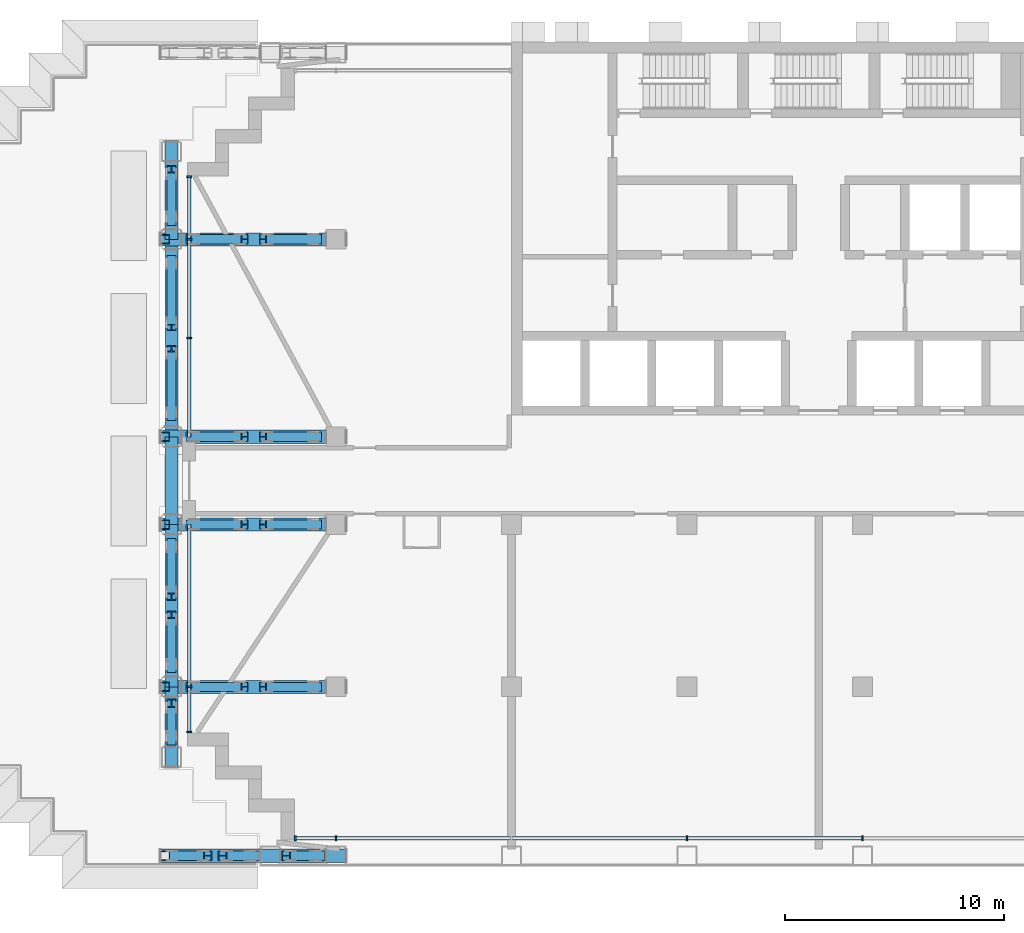
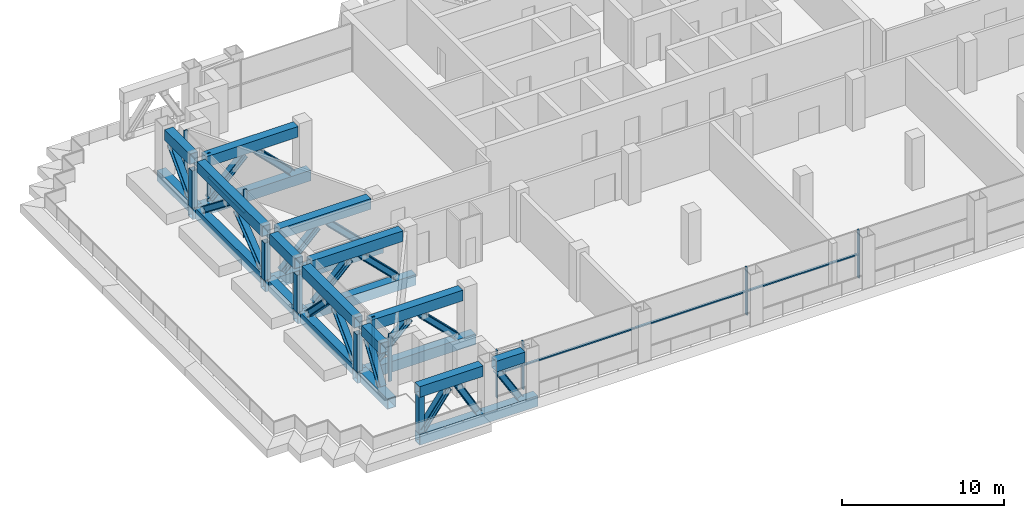
# One storey, part 2 of 19: 61 members, 3 elements without a shape of their own.
"""IFC4 building model written with IfcOpenShell, lengths in metres."""

from ifc_helpers import new_model, si_unit, direction, frame, origin, origin_2d, place, context, subcontext, project, spatial, rectangle, hollow_rectangle, i_section, extrude, material, material_profile, profile_set, type_object, element, aggregate, save


model = new_model("IFC4")

# Units and contexts
model_context = context("Model", 3, precision=1e-05, world=origin(), true_north=direction((0.0, 1.0)))
body_context = subcontext(model_context, "Body", "Model", "MODEL_VIEW")
ifc_project = project(units=[si_unit("LENGTHUNIT", "METRE"), si_unit("AREAUNIT", "SQUARE_METRE"), si_unit("VOLUMEUNIT", "CUBIC_METRE"), si_unit("PLANEANGLEUNIT", "RADIAN"), si_unit("MASSUNIT", "GRAM", prefix="KILO")], contexts=[model_context])

# Site, building, storey
site_placement = place(None, origin())
site = spatial("IfcSite", under=ifc_project, at=site_placement, CompositionType="ELEMENT")
building_placement = place(site_placement, origin())
building = spatial("IfcBuilding", under=site, at=building_placement, Name="Vidyagriha Tower", CompositionType="ELEMENT")
storey_placement = place(building_placement, frame((0.0, 0.0, 73.60009765625)))
storey = spatial("IfcBuildingStorey", under=building, at=storey_placement, Name="L18", CompositionType="ELEMENT", Elevation=73.60009765625)

# Curtain wall, members
ifc_material_1 = material(Name="Aluminium and glass curtain wall", Category="aluminium")
curtain_wall_type = type_object("IfcCurtainWallType", Name="Plant louvre wall", PredefinedType="USERDEFINED", material=ifc_material_1)
curtain_wall_1_placement = place(storey_placement, origin())
curtain_wall_1 = element("IfcCurtainWall", 1, at=curtain_wall_1_placement, inside=storey, type_object=curtain_wall_type, Name="CW7 plant louvre wall", ObjectType="STICK GLAZING", PredefinedType="USERDEFINED")
ifc_material_2 = material(Name="Aluminium black anodised", Category="aluminium")
ifc_material_profile_1 = material_profile(ifc_material_2, rectangle(XDim=0.219970703125, YDim=0.080078125, at=origin_2d()), Name="Mullion 80x220 black aluminium")
ifc_profile_set_1 = profile_set([ifc_material_profile_1], Name="Aluminium black anodised")
member_type_1 = type_object("IfcMemberType", Name="Mullion 80x220 black aluminium", PredefinedType="MULLION", material=ifc_profile_set_1)
member_1_placement = place(storey_placement, frame((-28.699951171875, 13.860107421875, 0.0)))
member_1 = element("IfcMember", 2, at=member_1_placement, type_object=member_type_1, Name="CW7 mullion 1", PredefinedType="MULLION", context=body_context, shape_type="SweptSolid", body=[
    extrude(rectangle(XDim=0.219970703125, YDim=0.080078125, at=origin_2d()), origin(), (0.0, 0.0, 1.0), 3.619873046875),
])
member_2_placement = place(storey_placement, frame((-28.699951171875, 11.0, 0.0)))
member_2 = element("IfcMember", 3, at=member_2_placement, type_object=member_type_1, Name="CW7 mullion 2", PredefinedType="MULLION", context=body_context, shape_type="SweptSolid", body=[
    extrude(rectangle(XDim=0.219970703125, YDim=0.080078125, at=origin_2d()), origin(), (0.0, 0.0, 1.0), 3.619873046875),
])
member_3_placement = place(storey_placement, frame((-28.699951171875, 6.5, 0.0)))
member_3 = element("IfcMember", 4, at=member_3_placement, type_object=member_type_1, Name="CW7 mullion 3", PredefinedType="MULLION", context=body_context, shape_type="SweptSolid", body=[
    extrude(rectangle(XDim=0.219970703125, YDim=0.080078125, at=origin_2d()), origin(), (0.0, 0.0, 1.0), 3.619873046875),
])

curtain_wall_2_placement = place(storey_placement, origin())
curtain_wall_2 = element("IfcCurtainWall", 5, at=curtain_wall_2_placement, inside=storey, type_object=curtain_wall_type, Name="CW7 plant louvre wall", ObjectType="STICK GLAZING", PredefinedType="USERDEFINED")
member_4_placement = place(storey_placement, frame((-28.699951171875, -9.39990234375, 0.0)))
member_4 = element("IfcMember", 6, at=member_4_placement, type_object=member_type_1, Name="CW7 mullion 2", PredefinedType="MULLION", context=body_context, shape_type="SweptSolid", body=[
    extrude(rectangle(XDim=0.219970703125, YDim=0.080078125, at=origin_2d()), origin(), (0.0, 0.0, 1.0), 3.619873046875),
])
member_5_placement = place(storey_placement, frame((-28.699951171875, -11.4599609375, 0.0)))
member_5 = element("IfcMember", 7, at=member_5_placement, type_object=member_type_1, Name="CW7 mullion 3", PredefinedType="MULLION", context=body_context, shape_type="SweptSolid", body=[
    extrude(rectangle(XDim=0.219970703125, YDim=0.080078125, at=origin_2d()), origin(), (0.0, 0.0, 1.0), 3.619873046875),
])

curtain_wall_3_placement = place(storey_placement, origin())
curtain_wall_3 = element("IfcCurtainWall", 8, at=curtain_wall_3_placement, inside=storey, type_object=curtain_wall_type, Name="CW7 plant louvre wall", ObjectType="STICK GLAZING", PredefinedType="USERDEFINED")
member_6_placement = place(storey_placement, frame((-23.860107421875, -16.300048828125, 0.0), z_axis=(0.0, 0.0, 1.0), x_axis=(0.0, 1.0, 0.0)))
member_6 = element("IfcMember", 9, at=member_6_placement, type_object=member_type_1, Name="CW7 mullion 1", PredefinedType="MULLION", context=body_context, shape_type="SweptSolid", body=[
    extrude(rectangle(XDim=0.219970703125, YDim=0.080078125, at=origin_2d()), origin(), (0.0, 0.0, 1.0), 3.619873046875),
])
member_7_placement = place(storey_placement, frame((-22.0, -16.300048828125, 0.0), z_axis=(0.0, 0.0, 1.0), x_axis=(0.0, 1.0, 0.0)))
member_7 = element("IfcMember", 10, at=member_7_placement, type_object=member_type_1, Name="CW7 mullion 2", PredefinedType="MULLION", context=body_context, shape_type="SweptSolid", body=[
    extrude(rectangle(XDim=0.219970703125, YDim=0.080078125, at=origin_2d()), origin(), (0.0, 0.0, 1.0), 3.619873046875),
])
member_8_placement = place(storey_placement, frame((-6.0, -16.300048828125, 0.0), z_axis=(0.0, 0.0, 1.0), x_axis=(0.0, 1.0, 0.0)))
member_8 = element("IfcMember", 11, at=member_8_placement, type_object=member_type_1, Name="CW7 mullion 4", PredefinedType="MULLION", context=body_context, shape_type="SweptSolid", body=[
    extrude(rectangle(XDim=0.219970703125, YDim=0.080078125, at=origin_2d()), origin(), (0.0, 0.0, 1.0), 3.619873046875),
])
member_9_placement = place(storey_placement, frame((2.0, -16.300048828125, 0.0), z_axis=(0.0, 0.0, 1.0), x_axis=(0.0, 1.0, 0.0)))
member_9 = element("IfcMember", 12, at=member_9_placement, type_object=member_type_1, Name="CW7 mullion 5", PredefinedType="MULLION", context=body_context, shape_type="SweptSolid", body=[
    extrude(rectangle(XDim=0.219970703125, YDim=0.080078125, at=origin_2d()), origin(), (0.0, 0.0, 1.0), 3.619873046875),
])

# Members
ifc_material_3 = material(Name="Steel ASTM A572 Grade 50", Category="steel")
ifc_material_profile_2 = material_profile(ifc_material_3, hollow_rectangle(XDim=0.60009765625, YDim=0.800048828125, WallThickness=0.034912109375, at=origin_2d()), Name="BOX 800x600x35")
ifc_profile_set_2 = profile_set([ifc_material_profile_2], Name="Steel ASTM A572 Grade 50")
member_type_2 = type_object("IfcMemberType", Name="Transfer truss chord BOX 800x600x35", PredefinedType="CHORD", material=ifc_profile_set_2)
member_10_placement = place(storey_placement, frame((-30.0, -17.10009765625, -0.400146484375), z_axis=(1.0, 0.0, 0.0), x_axis=(0.0, 1.0, 0.0)))
element("IfcMember", 13, at=member_10_placement, inside=storey, type_object=member_type_2, Name="st-truss-L18-T00-B00", PredefinedType="CHORD", context=body_context, shape_type="SweptSolid", body=[
    extrude(hollow_rectangle(XDim=0.60009765625, YDim=0.800048828125, WallThickness=0.034912109375, at=origin_2d()), origin(), (0.0, 0.0, 1.0), 8.449951171875),
])
member_11_placement = place(storey_placement, frame((-30.0, -17.10009765625, 3.219970703125), z_axis=(1.0, 0.0, 0.0), x_axis=(0.0, 1.0, 0.0)))
element("IfcMember", 14, at=member_11_placement, inside=storey, type_object=member_type_2, Name="st-truss-L18-T00-T00", PredefinedType="CHORD", context=body_context, shape_type="SweptSolid", body=[
    extrude(hollow_rectangle(XDim=0.60009765625, YDim=0.800048828125, WallThickness=0.034912109375, at=origin_2d()), origin(), (0.0, 0.0, 1.0), 4.530517578125),
])
member_12_placement = place(storey_placement, frame((-24.530517578125, -17.10009765625, 3.219970703125), z_axis=(1.0, 0.0, 0.0), x_axis=(0.0, 1.0, 0.0)))
element("IfcMember", 15, at=member_12_placement, inside=storey, type_object=member_type_2, Name="st-truss-L18-T00-T01", PredefinedType="CHORD", context=body_context, shape_type="SweptSolid", body=[
    extrude(hollow_rectangle(XDim=0.60009765625, YDim=0.800048828125, WallThickness=0.034912109375, at=origin_2d()), origin(), (0.0, 0.0, 1.0), 2.06103515625),
])
member_13_placement = place(storey_placement, frame((-30.0, -9.39990234375, -0.400146484375), z_axis=(1.0, 0.0, 0.0), x_axis=(0.0, 1.0, 0.0)))
element("IfcMember", 16, at=member_13_placement, inside=storey, type_object=member_type_2, Name="st-truss-L18-T02-B00", PredefinedType="CHORD", context=body_context, shape_type="SweptSolid", body=[
    extrude(hollow_rectangle(XDim=0.60009765625, YDim=0.800048828125, WallThickness=0.034912109375, at=origin_2d()), origin(), (0.0, 0.0, 1.0), 8.449951171875),
])
member_14_placement = place(storey_placement, frame((-29.030517578125, -9.39990234375, 3.219970703125), z_axis=(1.0, 0.0, 0.0), x_axis=(0.0, 1.0, 0.0)))
element("IfcMember", 17, at=member_14_placement, inside=storey, type_object=member_type_2, Name="st-truss-L18-T02-T01", PredefinedType="CHORD", context=body_context, shape_type="SweptSolid", body=[
    extrude(hollow_rectangle(XDim=0.60009765625, YDim=0.800048828125, WallThickness=0.034912109375, at=origin_2d()), origin(), (0.0, 0.0, 1.0), 6.56103515625),
])
member_15_placement = place(storey_placement, frame((-30.0, -2.0, -0.400146484375), z_axis=(1.0, 0.0, 0.0), x_axis=(0.0, 1.0, 0.0)))
element("IfcMember", 18, at=member_15_placement, inside=storey, type_object=member_type_2, Name="st-truss-L18-T03-B00", PredefinedType="CHORD", context=body_context, shape_type="SweptSolid", body=[
    extrude(hollow_rectangle(XDim=0.60009765625, YDim=0.800048828125, WallThickness=0.034912109375, at=origin_2d()), origin(), (0.0, 0.0, 1.0), 8.449951171875),
])
member_16_placement = place(storey_placement, frame((-29.030517578125, -2.0, 3.219970703125), z_axis=(1.0, 0.0, 0.0), x_axis=(0.0, 1.0, 0.0)))
element("IfcMember", 19, at=member_16_placement, inside=storey, type_object=member_type_2, Name="st-truss-L18-T03-T01", PredefinedType="CHORD", context=body_context, shape_type="SweptSolid", body=[
    extrude(hollow_rectangle(XDim=0.60009765625, YDim=0.800048828125, WallThickness=0.034912109375, at=origin_2d()), origin(), (0.0, 0.0, 1.0), 6.56103515625),
])
member_17_placement = place(storey_placement, frame((-30.0, 2.0, -0.400146484375), z_axis=(1.0, 0.0, 0.0), x_axis=(0.0, 1.0, 0.0)))
element("IfcMember", 20, at=member_17_placement, inside=storey, type_object=member_type_2, Name="st-truss-L18-T04-B00", PredefinedType="CHORD", context=body_context, shape_type="SweptSolid", body=[
    extrude(hollow_rectangle(XDim=0.60009765625, YDim=0.800048828125, WallThickness=0.034912109375, at=origin_2d()), origin(), (0.0, 0.0, 1.0), 8.449951171875),
])
member_18_placement = place(storey_placement, frame((-29.030517578125, 2.0, 3.219970703125), z_axis=(1.0, 0.0, 0.0), x_axis=(0.0, 1.0, 0.0)))
element("IfcMember", 21, at=member_18_placement, inside=storey, type_object=member_type_2, Name="st-truss-L18-T04-T01", PredefinedType="CHORD", context=body_context, shape_type="SweptSolid", body=[
    extrude(hollow_rectangle(XDim=0.60009765625, YDim=0.800048828125, WallThickness=0.034912109375, at=origin_2d()), origin(), (0.0, 0.0, 1.0), 6.56103515625),
])
member_19_placement = place(storey_placement, frame((-30.0, 11.0, -0.400146484375), z_axis=(1.0, 0.0, 0.0), x_axis=(0.0, 1.0, 0.0)))
element("IfcMember", 22, at=member_19_placement, inside=storey, type_object=member_type_2, Name="st-truss-L18-T05-B00", PredefinedType="CHORD", context=body_context, shape_type="SweptSolid", body=[
    extrude(hollow_rectangle(XDim=0.60009765625, YDim=0.800048828125, WallThickness=0.034912109375, at=origin_2d()), origin(), (0.0, 0.0, 1.0), 8.449951171875),
])
member_20_placement = place(storey_placement, frame((-29.030517578125, 11.0, 3.219970703125), z_axis=(1.0, 0.0, 0.0), x_axis=(0.0, 1.0, 0.0)))
element("IfcMember", 23, at=member_20_placement, inside=storey, type_object=member_type_2, Name="st-truss-L18-T05-T01", PredefinedType="CHORD", context=body_context, shape_type="SweptSolid", body=[
    extrude(hollow_rectangle(XDim=0.60009765625, YDim=0.800048828125, WallThickness=0.034912109375, at=origin_2d()), origin(), (0.0, 0.0, 1.0), 6.56103515625),
])
member_21_placement = place(storey_placement, frame((-29.5, -13.050048828125, -0.400146484375), z_axis=(0.0, 1.0, 0.0), x_axis=(-1.0, 0.0, 0.0)))
element("IfcMember", 24, at=member_21_placement, inside=storey, type_object=member_type_2, Name="st-truss-L18-T08-B00", PredefinedType="CHORD", context=body_context, shape_type="SweptSolid", body=[
    extrude(hollow_rectangle(XDim=0.60009765625, YDim=0.800048828125, WallThickness=0.034912109375, at=origin_2d()), origin(), (0.0, 0.0, 1.0), 3.650146484375),
])
member_22_placement = place(storey_placement, frame((-29.5, -12.130615234375, 3.219970703125), z_axis=(0.0, 1.0, 0.0), x_axis=(-1.0, 0.0, 0.0)))
element("IfcMember", 25, at=member_22_placement, inside=storey, type_object=member_type_2, Name="st-truss-L18-T08-T00", PredefinedType="CHORD", context=body_context, shape_type="SweptSolid", body=[
    extrude(hollow_rectangle(XDim=0.60009765625, YDim=0.800048828125, WallThickness=0.034912109375, at=origin_2d()), origin(), (0.0, 0.0, 1.0), 2.26123046875),
])
member_23_placement = place(storey_placement, frame((-29.5, -9.39990234375, -0.400146484375), z_axis=(0.0, 1.0, 0.0), x_axis=(-1.0, 0.0, 0.0)))
element("IfcMember", 26, at=member_23_placement, inside=storey, type_object=member_type_2, Name="st-truss-L18-T08-B01", PredefinedType="CHORD", context=body_context, shape_type="SweptSolid", body=[
    extrude(hollow_rectangle(XDim=0.60009765625, YDim=0.800048828125, WallThickness=0.034912109375, at=origin_2d()), origin(), (0.0, 0.0, 1.0), 7.39990234375),
])
member_24_placement = place(storey_placement, frame((-29.5, -8.930419921875, 3.219970703125), z_axis=(0.0, 1.0, 0.0), x_axis=(-1.0, 0.0, 0.0)))
element("IfcMember", 27, at=member_24_placement, inside=storey, type_object=member_type_2, Name="st-truss-L18-T08-T01", PredefinedType="CHORD", context=body_context, shape_type="SweptSolid", body=[
    extrude(hollow_rectangle(XDim=0.60009765625, YDim=0.800048828125, WallThickness=0.034912109375, at=origin_2d()), origin(), (0.0, 0.0, 1.0), 6.4609375),
])
member_25_placement = place(storey_placement, frame((-29.5, -2.0, -0.400146484375), z_axis=(0.0, 1.0, 0.0), x_axis=(-1.0, 0.0, 0.0)))
element("IfcMember", 28, at=member_25_placement, inside=storey, type_object=member_type_2, Name="st-truss-L18-T08-B02", PredefinedType="CHORD", context=body_context, shape_type="SweptSolid", body=[
    extrude(hollow_rectangle(XDim=0.60009765625, YDim=0.800048828125, WallThickness=0.034912109375, at=origin_2d()), origin(), (0.0, 0.0, 1.0), 4.0),
])
member_26_placement = place(storey_placement, frame((-29.5, -1.530517578125, 3.219970703125), z_axis=(0.0, 1.0, 0.0), x_axis=(-1.0, 0.0, 0.0)))
element("IfcMember", 29, at=member_26_placement, inside=storey, type_object=member_type_2, Name="st-truss-L18-T08-T02", PredefinedType="CHORD", context=body_context, shape_type="SweptSolid", body=[
    extrude(hollow_rectangle(XDim=0.60009765625, YDim=0.800048828125, WallThickness=0.034912109375, at=origin_2d()), origin(), (0.0, 0.0, 1.0), 3.06103515625),
])
member_27_placement = place(storey_placement, frame((-29.5, 2.0, -0.400146484375), z_axis=(0.0, 1.0, 0.0), x_axis=(-1.0, 0.0, 0.0)))
element("IfcMember", 30, at=member_27_placement, inside=storey, type_object=member_type_2, Name="st-truss-L18-T08-B03", PredefinedType="CHORD", context=body_context, shape_type="SweptSolid", body=[
    extrude(hollow_rectangle(XDim=0.60009765625, YDim=0.800048828125, WallThickness=0.034912109375, at=origin_2d()), origin(), (0.0, 0.0, 1.0), 9.0),
])
member_28_placement = place(storey_placement, frame((-29.5, 2.469482421875, 3.219970703125), z_axis=(0.0, 1.0, 0.0), x_axis=(-1.0, 0.0, 0.0)))
element("IfcMember", 31, at=member_28_placement, inside=storey, type_object=member_type_2, Name="st-truss-L18-T08-T03", PredefinedType="CHORD", context=body_context, shape_type="SweptSolid", body=[
    extrude(hollow_rectangle(XDim=0.60009765625, YDim=0.800048828125, WallThickness=0.034912109375, at=origin_2d()), origin(), (0.0, 0.0, 1.0), 8.06103515625),
])
member_29_placement = place(storey_placement, frame((-29.5, 11.0, -0.400146484375), z_axis=(0.0, 1.0, 0.0), x_axis=(-1.0, 0.0, 0.0)))
element("IfcMember", 32, at=member_29_placement, inside=storey, type_object=member_type_2, Name="st-truss-L18-T08-B04", PredefinedType="CHORD", context=body_context, shape_type="SweptSolid", body=[
    extrude(hollow_rectangle(XDim=0.60009765625, YDim=0.800048828125, WallThickness=0.034912109375, at=origin_2d()), origin(), (0.0, 0.0, 1.0), 4.449951171875),
])
member_30_placement = place(storey_placement, frame((-29.5, 11.469482421875, 3.219970703125), z_axis=(0.0, 1.0, 0.0), x_axis=(-1.0, 0.0, 0.0)))
element("IfcMember", 33, at=member_30_placement, inside=storey, type_object=member_type_2, Name="st-truss-L18-T08-T04", PredefinedType="CHORD", context=body_context, shape_type="SweptSolid", body=[
    extrude(hollow_rectangle(XDim=0.60009765625, YDim=0.800048828125, WallThickness=0.034912109375, at=origin_2d()), origin(), (0.0, 0.0, 1.0), 3.06103515625),
])
ifc_material_4 = material(Name="Steel ASTM A913 Grade 65", Category="steel")
ifc_material_profile_3 = material_profile(ifc_material_4, i_section(OverallWidth=0.421630859375, OverallDepth=0.46484375, WebThickness=0.030029296875, FlangeThickness=0.052978515625, at=origin_2d()), Name="W14X398")
ifc_profile_set_3 = profile_set([ifc_material_profile_3], Name="Steel ASTM A913 Grade 65")
member_type_3 = type_object("IfcMemberType", Name="Transfer truss diagonal W14X398", PredefinedType="BRACE", material=ifc_profile_set_3)
member_31_placement = place(storey_placement, frame((-29.70068359375, -17.10009765625, 0.136474609375), z_axis=(0.587973433261, 0.0, 0.808880239454), x_axis=(0.0, 1.0, 0.0)))
element("IfcMember", 34, at=member_31_placement, inside=storey, type_object=member_type_3, Name="st-truss-L18-T00-D000", PredefinedType="BRACE", context=body_context, shape_type="SweptSolid", body=[
    extrude(i_section(OverallWidth=0.421630859375, OverallDepth=0.46484375, WebThickness=0.030029296875, FlangeThickness=0.052978515625, at=origin_2d()), origin(), (0.0, 0.0, 1.0), 3.148681640625),
])
member_32_placement = place(storey_placement, frame((-27.184814453125, -17.10009765625, 2.705322265625), z_axis=(0.493417853227, 0.0, -0.869792401735), x_axis=(0.0, 1.0, 0.0)))
element("IfcMember", 35, at=member_32_placement, inside=storey, type_object=member_type_3, Name="st-truss-L18-T00-D001", PredefinedType="BRACE", context=body_context, shape_type="SweptSolid", body=[
    extrude(i_section(OverallWidth=0.421630859375, OverallDepth=0.46484375, WebThickness=0.030029296875, FlangeThickness=0.052978515625, at=origin_2d()), origin(), (0.0, 0.0, 1.0), 2.978759765625),
])
member_33_placement = place(storey_placement, frame((-24.277587890625, -17.10009765625, 2.699951171875), z_axis=(0.516234706047, 0.0, -0.856447154396), x_axis=(0.0, 1.0, 0.0)))
element("IfcMember", 36, at=member_33_placement, inside=storey, type_object=member_type_3, Name="st-truss-L18-T00-D010", PredefinedType="BRACE", context=body_context, shape_type="SweptSolid", body=[
    extrude(i_section(OverallWidth=0.421630859375, OverallDepth=0.46484375, WebThickness=0.030029296875, FlangeThickness=0.052978515625, at=origin_2d()), origin(), (0.0, 0.0, 1.0), 3.012451171875),
])
for number, where, z_axis, x_axis, name in (
    (37, (-28.68310546875, -9.39990234375, 0.1650390625), (0.710821439458, 0.0, 0.703372505297), (0.0, 1.0, 0.0), "st-truss-L18-T02-D010"),
    (38, (-25.3330078125, -9.39990234375, 2.65478515625), (0.710821439458, 0.0, -0.703372505297), (0.0, 1.0, 0.0), "st-truss-L18-T02-D011"),
    (39, (-28.68310546875, -2.0, 0.1650390625), (0.710821439458, 0.0, 0.703372505297), (0.0, 1.0, 0.0), "st-truss-L18-T03-D010"),
    (40, (-25.3330078125, -2.0, 2.65478515625), (0.710821439458, 0.0, -0.703372505297), (0.0, 1.0, 0.0), "st-truss-L18-T03-D011"),
    (41, (-28.68310546875, 2.0, 0.1650390625), (0.710821439458, 0.0, 0.703372505297), (0.0, 1.0, 0.0), "st-truss-L18-T04-D010"),
    (42, (-25.3330078125, 2.0, 2.65478515625), (0.710821439458, 0.0, -0.703372505297), (0.0, 1.0, 0.0), "st-truss-L18-T04-D011"),
    (43, (-28.68310546875, 11.0, 0.1650390625), (0.710821439458, 0.0, 0.703372505297), (0.0, 1.0, 0.0), "st-truss-L18-T05-D010"),
    (44, (-25.3330078125, 11.0, 2.65478515625), (0.710821439458, 0.0, -0.703372505297), (0.0, 1.0, 0.0), "st-truss-L18-T05-D011"),
):
    element("IfcMember", number, at=place(storey_placement, frame(where, z_axis=z_axis, x_axis=x_axis)), inside=storey, type_object=member_type_3, Name=name, PredefinedType="BRACE", context=body_context, shape_type="SweptSolid", body=[
        extrude(i_section(OverallWidth=0.421630859375, OverallDepth=0.46484375, WebThickness=0.030029296875, FlangeThickness=0.052978515625, at=origin_2d()), origin(), (0.0, 0.0, 1.0), 3.539794921875),
    ])
member_34_placement = place(storey_placement, frame((-29.5, -11.862548828125, 0.1298828125), z_axis=(0.0, 0.558817992611, 0.829290329821), x_axis=(-1.0, 0.0, 0.0)))
element("IfcMember", 45, at=member_34_placement, inside=storey, type_object=member_type_3, Name="st-truss-L18-T08-D000", PredefinedType="BRACE", context=body_context, shape_type="SweptSolid", body=[
    extrude(i_section(OverallWidth=0.421630859375, OverallDepth=0.46484375, WebThickness=0.030029296875, FlangeThickness=0.052978515625, at=origin_2d()), origin(), (0.0, 0.0, 1.0), 3.087158203125),
])
for number, where, z_axis, x_axis, name in (
    (46, (-29.5, -8.58740234375, 0.16357421875), (0.0, 0.704565322512, 0.709639138093), (-1.0, 0.0, 0.0), "st-truss-L18-T08-D010"),
    (47, (-29.5, -5.287353515625, 2.65625), (0.0, 0.704565322512, -0.709639138093), (-1.0, 0.0, 0.0), "st-truss-L18-T08-D011"),
):
    element("IfcMember", number, at=place(storey_placement, frame(where, z_axis=z_axis, x_axis=x_axis)), inside=storey, type_object=member_type_3, Name=name, PredefinedType="BRACE", context=body_context, shape_type="SweptSolid", body=[
        extrude(i_section(OverallWidth=0.421630859375, OverallDepth=0.46484375, WebThickness=0.030029296875, FlangeThickness=0.052978515625, at=origin_2d()), origin(), (0.0, 0.0, 1.0), 3.5126953125),
    ])
for number, where, z_axis, x_axis, name in (
    (48, (-29.5, 2.883544921875, 0.182861328125), (0.0, 0.787220111676, 0.616672113666), (-1.0, 0.0, 0.0), "st-truss-L18-T08-D030"),
    (49, (-29.5, 6.983642578125, 2.636962890625), (0.0, 0.787220111676, -0.616672113666), (-1.0, 0.0, 0.0), "st-truss-L18-T08-D031"),
):
    element("IfcMember", number, at=place(storey_placement, frame(where, z_axis=z_axis, x_axis=x_axis)), inside=storey, type_object=member_type_3, Name=name, PredefinedType="BRACE", context=body_context, shape_type="SweptSolid", body=[
        extrude(i_section(OverallWidth=0.421630859375, OverallDepth=0.46484375, WebThickness=0.030029296875, FlangeThickness=0.052978515625, at=origin_2d()), origin(), (0.0, 0.0, 1.0), 3.9794921875),
    ])
member_35_placement = place(storey_placement, frame((-29.5, 11.803955078125, 0.16064453125), z_axis=(0.0, 0.691552695072, 0.722326013611), x_axis=(-1.0, 0.0, 0.0)))
element("IfcMember", 50, at=member_35_placement, inside=storey, type_object=member_type_3, Name="st-truss-L18-T08-D040", PredefinedType="BRACE", context=body_context, shape_type="SweptSolid", body=[
    extrude(i_section(OverallWidth=0.421630859375, OverallDepth=0.46484375, WebThickness=0.030029296875, FlangeThickness=0.052978515625, at=origin_2d()), origin(), (0.0, 0.0, 1.0), 3.458984375),
])
ifc_material_5 = material(Name="Steel ASTM A500 Grade C", Category="steel")
ifc_material_profile_4 = material_profile(ifc_material_5, hollow_rectangle(XDim=0.406494140625, YDim=0.406494140625, WallThickness=0.017822265625, at=origin_2d()), Name="HSS16X16X3/4")
ifc_profile_set_4 = profile_set([ifc_material_profile_4], Name="Steel ASTM A500 Grade C")
member_type_4 = type_object("IfcMemberType", Name="Transfer truss post HSS16X16X3/4", PredefinedType="POST", material=ifc_profile_set_4)
member_36_placement = place(storey_placement, frame((-29.796875, -17.10009765625, 0.019287109375)))
element("IfcMember", 51, at=member_36_placement, inside=storey, type_object=member_type_4, Name="st-truss-L18-T00-P00", PredefinedType="POST", context=body_context, shape_type="SweptSolid", body=[
    extrude(hollow_rectangle(XDim=0.406494140625, YDim=0.406494140625, WallThickness=0.017822265625, at=origin_2d()), origin(), (0.0, 0.0, 1.0), 2.781005859375),
])
for number, where, name in (
    (52, (-29.796875, -9.39990234375, 0.0), "st-truss-L18-T02-P00"),
    (53, (-29.796875, -2.0, 0.0), "st-truss-L18-T03-P00"),
    (54, (-29.796875, 2.0, 0.0), "st-truss-L18-T04-P00"),
    (55, (-29.796875, 11.0, 0.0), "st-truss-L18-T05-P00"),
):
    element("IfcMember", number, at=place(storey_placement, frame(where)), inside=storey, type_object=member_type_4, Name=name, PredefinedType="POST", context=body_context, shape_type="SweptSolid", body=[
        extrude(hollow_rectangle(XDim=0.406494140625, YDim=0.406494140625, WallThickness=0.017822265625, at=origin_2d()), origin(), (0.0, 0.0, 1.0), 2.81982421875),
    ])

# Member
ifc_material_6 = material(Name="Aluminium black anodised", Category="aluminium")
ifc_material_profile_5 = material_profile(ifc_material_6, rectangle(XDim=0.159912109375, YDim=0.10009765625, at=origin_2d()), Name="Transom 100x160 black aluminium")
ifc_profile_set_5 = profile_set([ifc_material_profile_5], Name="Aluminium black anodised")
member_type_5 = type_object("IfcMemberType", Name="Transom 100x160 black aluminium", PredefinedType="USERDEFINED", material=ifc_profile_set_5)
member_37_placement = place(storey_placement, frame((-28.699951171875, 13.820068359375, 1.809814453125), z_axis=(0.0, -1.0, 0.0), x_axis=(1.0, 0.0, 0.0)))
member_37 = element("IfcMember", 56, at=member_37_placement, type_object=member_type_5, Name="CW7 transom 1.1", ObjectType="TRANSOM", PredefinedType="USERDEFINED", context=body_context, shape_type="SweptSolid", body=[
    extrude(rectangle(XDim=0.159912109375, YDim=0.10009765625, at=origin_2d()), origin(), (0.0, 0.0, 1.0), 2.780029296875),
])

member_38_placement = place(storey_placement, frame((-28.699951171875, 10.9599609375, 1.809814453125), z_axis=(0.0, -1.0, 0.0), x_axis=(1.0, 0.0, 0.0)))
member_38 = element("IfcMember", 57, at=member_38_placement, type_object=member_type_5, Name="CW7 transom 2.1", ObjectType="TRANSOM", PredefinedType="USERDEFINED", context=body_context, shape_type="SweptSolid", body=[
    extrude(rectangle(XDim=0.159912109375, YDim=0.10009765625, at=origin_2d()), origin(), (0.0, 0.0, 1.0), 4.419921875),
])

member_39_placement = place(storey_placement, frame((-28.699951171875, 6.4599609375, 1.809814453125), z_axis=(0.0, -1.0, 0.0), x_axis=(1.0, 0.0, 0.0)))
member_39 = element("IfcMember", 58, at=member_39_placement, type_object=member_type_5, Name="CW7 transom 3.1", ObjectType="TRANSOM", PredefinedType="USERDEFINED", context=body_context, shape_type="SweptSolid", body=[
    extrude(rectangle(XDim=0.159912109375, YDim=0.10009765625, at=origin_2d()), origin(), (0.0, 0.0, 1.0), 4.4599609375),
])

aggregate(curtain_wall_1, [member_1, member_2, member_3, member_37, member_38, member_39])

member_40_placement = place(storey_placement, frame((-28.699951171875, -2.0, 1.809814453125), z_axis=(0.0, -1.0, 0.0), x_axis=(1.0, 0.0, 0.0)))
member_40 = element("IfcMember", 59, at=member_40_placement, type_object=member_type_5, Name="CW7 transom 1.1", ObjectType="TRANSOM", PredefinedType="USERDEFINED", context=body_context, shape_type="SweptSolid", body=[
    extrude(rectangle(XDim=0.159912109375, YDim=0.10009765625, at=origin_2d()), origin(), (0.0, 0.0, 1.0), 7.360107421875),
])

member_41_placement = place(storey_placement, frame((-28.699951171875, -9.43994140625, 1.809814453125), z_axis=(0.0, -1.0, 0.0), x_axis=(1.0, 0.0, 0.0)))
member_41 = element("IfcMember", 60, at=member_41_placement, type_object=member_type_5, Name="CW7 transom 2.1", ObjectType="TRANSOM", PredefinedType="USERDEFINED", context=body_context, shape_type="SweptSolid", body=[
    extrude(rectangle(XDim=0.159912109375, YDim=0.10009765625, at=origin_2d()), origin(), (0.0, 0.0, 1.0), 1.97998046875),
])

aggregate(curtain_wall_2, [member_4, member_5, member_40, member_41])

member_42_placement = place(storey_placement, frame((-23.820068359375, -16.300048828125, 1.809814453125), z_axis=(1.0, 0.0, 0.0), x_axis=(0.0, 1.0, 0.0)))
member_42 = element("IfcMember", 61, at=member_42_placement, type_object=member_type_5, Name="CW7 transom 1.1", ObjectType="TRANSOM", PredefinedType="USERDEFINED", context=body_context, shape_type="SweptSolid", body=[
    extrude(rectangle(XDim=0.159912109375, YDim=0.10009765625, at=origin_2d()), origin(), (0.0, 0.0, 1.0), 1.780029296875),
])

member_43_placement = place(storey_placement, frame((-21.9599609375, -16.300048828125, 1.809814453125), z_axis=(1.0, 0.0, 0.0), x_axis=(0.0, 1.0, 0.0)))
member_43 = element("IfcMember", 62, at=member_43_placement, type_object=member_type_5, Name="CW7 transom 2.1", ObjectType="TRANSOM", PredefinedType="USERDEFINED", context=body_context, shape_type="SweptSolid", body=[
    extrude(rectangle(XDim=0.159912109375, YDim=0.10009765625, at=origin_2d()), origin(), (0.0, 0.0, 1.0), 7.919921875),
])

member_44_placement = place(storey_placement, frame((-13.9599609375, -16.300048828125, 1.809814453125), z_axis=(1.0, 0.0, 0.0), x_axis=(0.0, 1.0, 0.0)))
member_44 = element("IfcMember", 63, at=member_44_placement, type_object=member_type_5, Name="CW7 transom 3.1", ObjectType="TRANSOM", PredefinedType="USERDEFINED", context=body_context, shape_type="SweptSolid", body=[
    extrude(rectangle(XDim=0.159912109375, YDim=0.10009765625, at=origin_2d()), origin(), (0.0, 0.0, 1.0), 7.919921875),
])

member_45_placement = place(storey_placement, frame((-5.9599609375, -16.300048828125, 1.809814453125), z_axis=(1.0, 0.0, 0.0), x_axis=(0.0, 1.0, 0.0)))
member_45 = element("IfcMember", 64, at=member_45_placement, type_object=member_type_5, Name="CW7 transom 4.1", ObjectType="TRANSOM", PredefinedType="USERDEFINED", context=body_context, shape_type="SweptSolid", body=[
    extrude(rectangle(XDim=0.159912109375, YDim=0.10009765625, at=origin_2d()), origin(), (0.0, 0.0, 1.0), 7.919921875),
])

aggregate(curtain_wall_3, [member_6, member_7, member_8, member_9, member_42, member_43, member_44, member_45])

save(model, "model.ifc")
